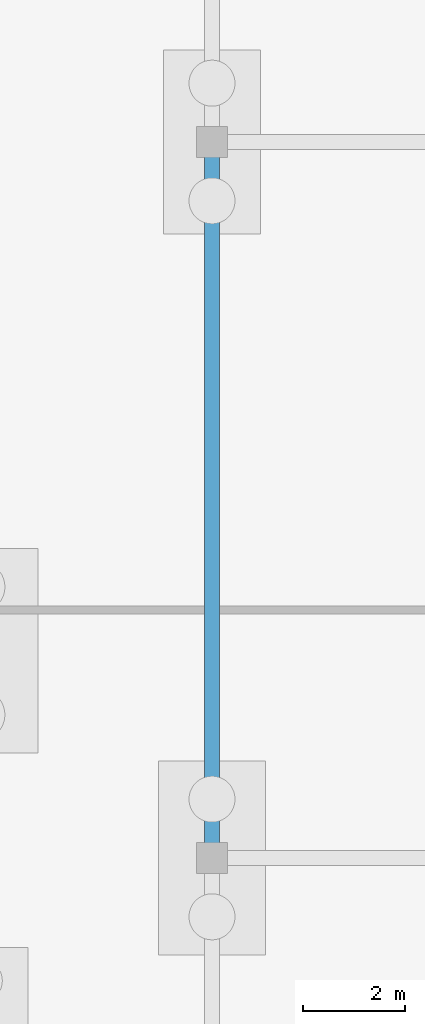
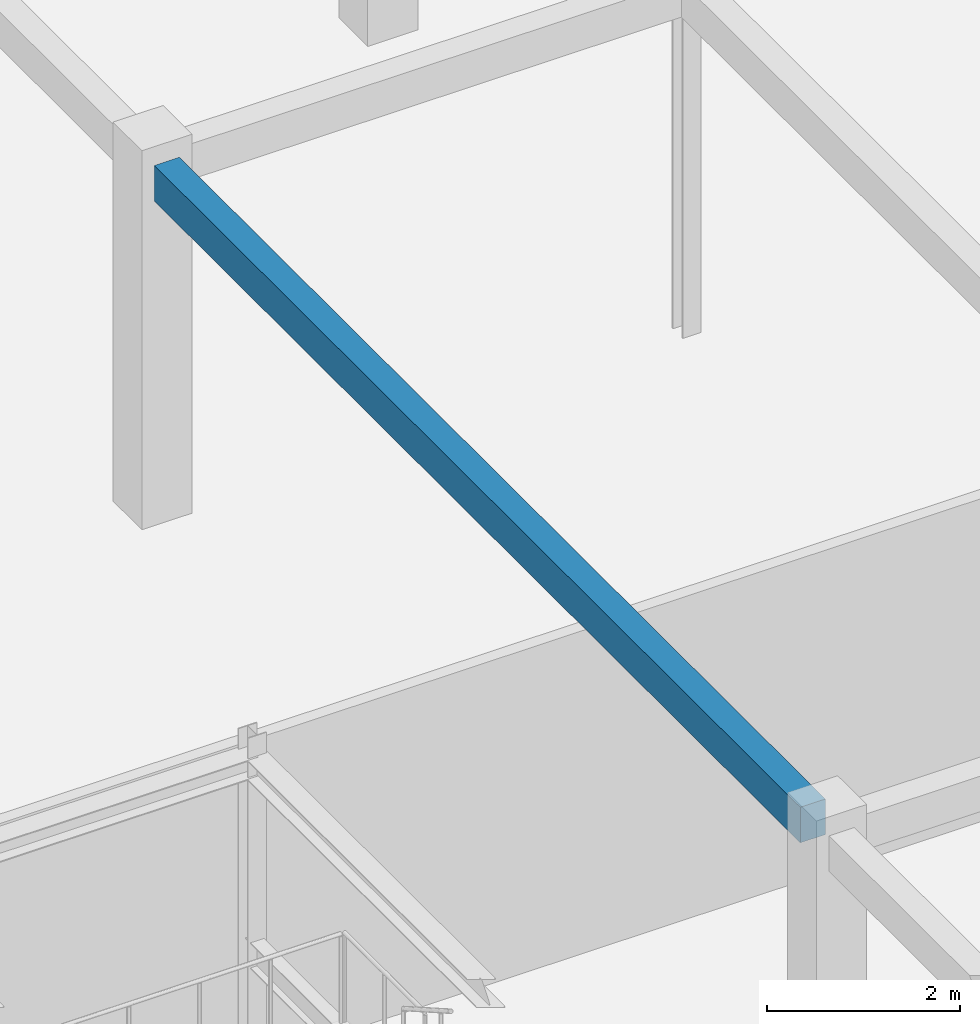
# One storey, part 105 of 192: 1 beam.
"""IFC4 building model written with IfcOpenShell, lengths in metres."""

from ifc_helpers import new_model, si_unit, direction, frame, origin, origin_2d, place, context, subcontext, project, spatial, rectangle, extrude, material, material_profile, profile_set, type_object, element, save


model = new_model("IFC4")

# Units and contexts
model_context = context("Model", 3, precision=1e-05, world=origin(), true_north=direction((0.0, 1.0)))
body_context = subcontext(model_context, "Body", "Model", "MODEL_VIEW")
ifc_project = project(units=[si_unit("LENGTHUNIT", "METRE"), si_unit("AREAUNIT", "SQUARE_METRE"), si_unit("VOLUMEUNIT", "CUBIC_METRE"), si_unit("PLANEANGLEUNIT", "RADIAN"), si_unit("MASSUNIT", "GRAM", prefix="KILO")], contexts=[model_context])

# Site, building, storey
site_placement = place(None, origin())
site = spatial("IfcSite", under=ifc_project, at=site_placement, CompositionType="ELEMENT")
building_placement = place(site_placement, origin())
building = spatial("IfcBuilding", under=site, at=building_placement, Name="Trelvath General Hospital", CompositionType="ELEMENT")
storey_placement = place(building_placement, origin())
storey = spatial("IfcBuildingStorey", under=building, at=storey_placement, Name="L00", CompositionType="ELEMENT", Elevation=0.0)

# Beam
ifc_material = material(Name="Concrete C35/45", Category="concrete")
ifc_material_profile = material_profile(ifc_material, rectangle(XDim=0.300048828125, YDim=0.449951171875, at=origin_2d()), Name="RCB300x450")
ifc_profile_set = profile_set([ifc_material_profile], Name="Concrete C35/45")
beam_type = type_object("IfcBeamType", Name="Beam RC300x450", PredefinedType="BEAM", material=ifc_profile_set)
beam_placement = place(storey_placement, frame((107.199951171875, 59.095947265625, 4.3349609375), z_axis=(0.0, 1.0, 0.0), x_axis=(-1.0, 0.0, 0.0)))
element("IfcBeam", 1, at=beam_placement, inside=storey, type_object=beam_type, Name="Cube Interior Ring Beam CUBE-E-T0 L00", PredefinedType="BEAM", context=body_context, shape_type="SweptSolid", body=[
    extrude(rectangle(XDim=0.300048828125, YDim=0.449951171875, at=origin_2d()), origin(), (0.0, 0.0, 1.0), 13.407958984375),
])

save(model, "model.ifc")
